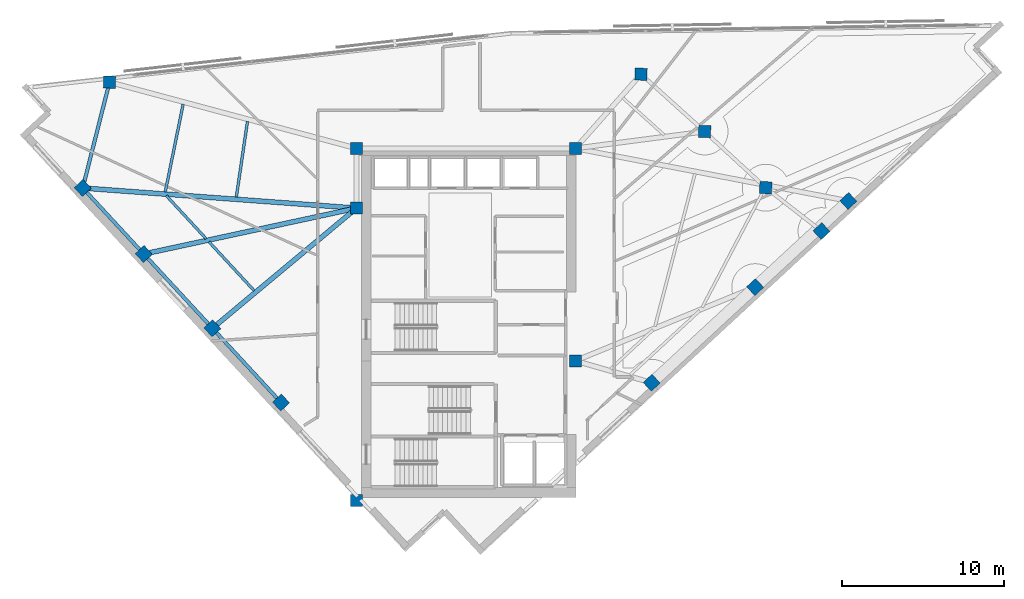
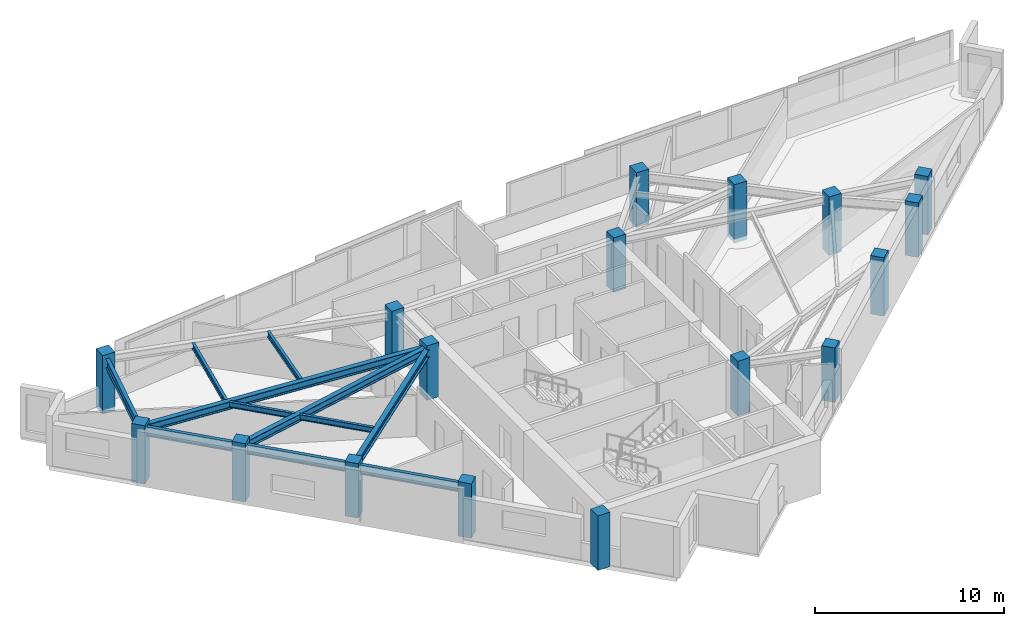
# One storey, part 1 of 13: 17 columns, 11 beams.
"""IFC4 building model written with IfcOpenShell, lengths in metres."""

from ifc_helpers import new_model, si_unit, direction, frame, origin, origin_2d, place, context, subcontext, project, spatial, rectangle, i_section, extrude, material, material_profile, profile_set, type_object, element, save


model = new_model("IFC4")

# Units and contexts
model_context = context("Model", 3, precision=1e-05, world=origin(), true_north=direction((0.0, 1.0)))
body_context = subcontext(model_context, "Body", "Model", "MODEL_VIEW")
ifc_project = project(units=[si_unit("LENGTHUNIT", "METRE"), si_unit("AREAUNIT", "SQUARE_METRE"), si_unit("VOLUMEUNIT", "CUBIC_METRE"), si_unit("PLANEANGLEUNIT", "RADIAN"), si_unit("MASSUNIT", "GRAM", prefix="KILO")], contexts=[model_context])

# Site, building, storey
site_placement = place(None, origin())
site = spatial("IfcSite", under=ifc_project, at=site_placement, CompositionType="ELEMENT")
building_placement = place(site_placement, origin())
building = spatial("IfcBuilding", under=site, at=building_placement, Name="Narakoshi Arena Tower", CompositionType="ELEMENT")
storey_placement = place(building_placement, frame((0.0, 0.0, 264.260009765625)))
storey = spatial("IfcBuildingStorey", under=building, at=storey_placement, Name="L72", CompositionType="ELEMENT", Elevation=264.260009765625)

# Columns
ifc_material_1 = material(Name="Concrete C50/60", Category="concrete")
ifc_material_profile_1 = material_profile(ifc_material_1, rectangle(XDim=0.75, YDim=0.75, at=origin_2d()), Name="RC750x750")
ifc_profile_set_1 = profile_set([ifc_material_profile_1], Name="Concrete C50/60")
column_type = type_object("IfcColumnType", Name="COL-RC750", PredefinedType="COLUMN", material=ifc_profile_set_1)
for number, where, z_axis, x_axis, name in (
    (1, (72.0, 34.699951171875, 0.0), (0.0, 0.0, 1.0), (1.0, 0.0, 0.0), "L72 Core Structural Column CC1"),
    (2, (85.550048828125, 43.35009765625, 0.0), (0.0, 0.0, 1.0), (1.0, 0.0, 0.0), "L72 Core Structural Column CC3"),
    (3, (72.0, 52.800048828125, 0.0), (0.0, 0.0, 1.0), (1.0, 0.0, 0.0), "L72 Core Structural Column CC4"),
    (4, (72.0, 56.5, 0.0), (0.0, 0.0, 1.0), (1.0, 0.0, 0.0), "L72 Core Structural Column CC5"),
    (5, (85.550048828125, 56.5, 0.0), (0.0, 0.0, 1.0), (1.0, 0.0, 0.0), "L72 Core Structural Column CC6"),
    (6, (90.2734375, 41.992919921875, 0.0), (0.0, 0.0, 1.0), (0.734322509436, 0.678800745533, 0.0), "L72 Tower Perimeter Column TC01"),
):
    element("IfcColumn", number, at=place(storey_placement, frame(where, z_axis=z_axis, x_axis=x_axis)), inside=storey, type_object=column_type, Name=name, PredefinedType="COLUMN", context=body_context, shape_type="SweptSolid", body=[
        extrude(rectangle(XDim=0.75, YDim=0.75, at=origin_2d()), origin(), (0.0, 0.0, 1.0), 3.52001953125),
    ])
for number, where, z_axis, x_axis, name in (
    (7, (96.6787109375, 47.913818359375, -0.260009765625), (0.0, 0.0, 1.0), (0.734322509436, 0.678800745533, 0.0), "L72 Tower Perimeter Column TC02"),
    (8, (102.443359375, 53.242431640625, -0.260009765625), (0.0, 0.0, 1.0), (0.734322509436, 0.678800745533, 0.0), "L72 Tower Perimeter Column TC03"),
):
    element("IfcColumn", number, at=place(storey_placement, frame(where, z_axis=z_axis, x_axis=x_axis)), inside=storey, type_object=column_type, Name=name, PredefinedType="COLUMN", context=body_context, shape_type="SweptSolid", body=[
        extrude(rectangle(XDim=0.75, YDim=0.75, at=origin_2d()), origin(), (0.0, 0.0, 1.0), 3.780029296875),
    ])
column_1_placement = place(storey_placement, frame((100.78173828125, 51.379638671875, 0.0), z_axis=(0.0, 0.0, 1.0), x_axis=(0.734322509436, 0.678800745533, 0.0)))
element("IfcColumn", 9, at=column_1_placement, inside=storey, type_object=column_type, Name="L72 Tower Perimeter Column TC04", PredefinedType="COLUMN", context=body_context, shape_type="SweptSolid", body=[
    extrude(rectangle(XDim=0.75, YDim=0.75, at=origin_2d()), origin(), (0.0, 0.0, 1.0), 3.52001953125),
])
for number, where, z_axis, x_axis, name in (
    (10, (97.3291015625, 54.0654296875, -0.260009765625), (0.0, 0.0, 1.0), (0.039259815759, 0.999229036241, 0.0), "L72 Tower Perimeter Column TC05"),
    (11, (93.55029296875, 57.543701171875, -0.260009765625), (0.0, 0.0, 1.0), (0.039259815759, 0.999229036241, 0.0), "L72 Tower Perimeter Column TC06"),
):
    element("IfcColumn", number, at=place(storey_placement, frame(where, z_axis=z_axis, x_axis=x_axis)), inside=storey, type_object=column_type, Name=name, PredefinedType="COLUMN", context=body_context, shape_type="SweptSolid", body=[
        extrude(rectangle(XDim=0.75, YDim=0.75, at=origin_2d()), origin(), (0.0, 0.0, 1.0), 3.780029296875),
    ])
column_2_placement = place(storey_placement, frame((89.611328125, 61.09033203125, 0.0), z_axis=(0.0, 0.0, 1.0), x_axis=(0.039259815759, 0.999229036241, 0.0)))
element("IfcColumn", 12, at=column_2_placement, inside=storey, type_object=column_type, Name="L72 Tower Perimeter Column TC07", PredefinedType="COLUMN", context=body_context, shape_type="SweptSolid", body=[
    extrude(rectangle(XDim=0.75, YDim=0.75, at=origin_2d()), origin(), (0.0, 0.0, 1.0), 3.52001953125),
])
for number, where, z_axis, x_axis, name in (
    (13, (56.717041015625, 60.59814453125, -0.260009765625), (0.0, 0.0, 1.0), (0.039259815759, 0.999229036241, 0.0), "L72 Tower Perimeter Column TC10"),
    (14, (55.05810546875, 54.04638671875, -0.260009765625), (0.0, 0.0, 1.0), (-0.678800745533, 0.734322509436, 0.0), "L72 Tower Perimeter Column TC13"),
    (15, (58.8349609375, 49.960693359375, -0.260009765625), (0.0, 0.0, 1.0), (-0.678800745533, 0.734322509436, 0.0), "L72 Tower Perimeter Column TC14"),
):
    element("IfcColumn", number, at=place(storey_placement, frame(where, z_axis=z_axis, x_axis=x_axis)), inside=storey, type_object=column_type, Name=name, PredefinedType="COLUMN", context=body_context, shape_type="SweptSolid", body=[
        extrude(rectangle(XDim=0.75, YDim=0.75, at=origin_2d()), origin(), (0.0, 0.0, 1.0), 3.780029296875),
    ])
for number, where, z_axis, x_axis, name in (
    (16, (63.083984375, 45.3642578125, 0.0), (0.0, 0.0, 1.0), (-0.678800745533, 0.734322509436, 0.0), "L72 Tower Perimeter Column TC15"),
    (17, (67.332763671875, 40.767578125, 0.0), (0.0, 0.0, 1.0), (-0.678800745533, 0.734322509436, 0.0), "L72 Tower Perimeter Column TC16"),
):
    element("IfcColumn", number, at=place(storey_placement, frame(where, z_axis=z_axis, x_axis=x_axis)), inside=storey, type_object=column_type, Name=name, PredefinedType="COLUMN", context=body_context, shape_type="SweptSolid", body=[
        extrude(rectangle(XDim=0.75, YDim=0.75, at=origin_2d()), origin(), (0.0, 0.0, 1.0), 3.52001953125),
    ])

# Beams
ifc_material_2 = material(Name="Structural steel S355J2", Category="steel")
ifc_material_profile_2 = material_profile(ifc_material_2, i_section(OverallWidth=0.219970703125, OverallDepth=0.60009765625, WebThickness=0.011962890625, FlangeThickness=0.01904296875, FilletRadius=0.02392578125, at=origin_2d()), Name="IPE600")
ifc_profile_set_2 = profile_set([ifc_material_profile_2], Name="Structural steel S355J2")
beam_type_1 = type_object("IfcBeamType", Name="BM-EDGE-600", PredefinedType="BEAM", material=ifc_profile_set_2)
beam_1_placement = place(storey_placement, frame((56.717041015625, 60.59814453125, 2.9599609375), z_axis=(-0.245458392699, -0.969407126781, 0.0), x_axis=(0.969407126781, -0.245458392699, 0.0)))
element("IfcBeam", 18, at=beam_1_placement, inside=storey, type_object=beam_type_1, Name="L72 Perimeter Edge Girder 08", PredefinedType="BEAM", context=body_context, shape_type="SweptSolid", body=[
    extrude(i_section(OverallWidth=0.219970703125, OverallDepth=0.60009765625, WebThickness=0.011962890625, FlangeThickness=0.01904296875, FilletRadius=0.02392578125, at=origin_2d()), origin(), (0.0, 0.0, 1.0), 6.758544921875),
])
beam_2_placement = place(storey_placement, frame((55.05810546875, 54.04638671875, 2.9599609375), z_axis=(0.678808438166, -0.734315398365, 0.0), x_axis=(0.734315398365, 0.678808438166, 0.0)))
element("IfcBeam", 19, at=beam_2_placement, inside=storey, type_object=beam_type_1, Name="L72 Perimeter Edge Girder 09", PredefinedType="BEAM", context=body_context, shape_type="SweptSolid", body=[
    extrude(i_section(OverallWidth=0.219970703125, OverallDepth=0.60009765625, WebThickness=0.011962890625, FlangeThickness=0.01904296875, FilletRadius=0.02392578125, at=origin_2d()), origin(), (0.0, 0.0, 1.0), 5.56396484375),
])
for number, where, z_axis, x_axis, name in (
    (20, (58.8349609375, 49.960693359375, 2.9599609375), (0.678811265787, -0.734312784473, 0.0), (0.734312784473, 0.678811265787, 0.0), "L72 Perimeter Edge Girder 10"),
    (21, (63.083984375, 45.3642578125, 2.9599609375), (0.678770792221, -0.734350196859, 0.0), (0.734350196859, 0.678770792221, 0.0), "L72 Perimeter Edge Girder 11"),
):
    element("IfcBeam", number, at=place(storey_placement, frame(where, z_axis=z_axis, x_axis=x_axis)), inside=storey, type_object=beam_type_1, Name=name, PredefinedType="BEAM", context=body_context, shape_type="SweptSolid", body=[
        extrude(i_section(OverallWidth=0.219970703125, OverallDepth=0.60009765625, WebThickness=0.011962890625, FlangeThickness=0.01904296875, FilletRadius=0.02392578125, at=origin_2d()), origin(), (0.0, 0.0, 1.0), 6.259521484375),
    ])
ifc_material_profile_3 = material_profile(ifc_material_2, i_section(OverallWidth=0.300048828125, OverallDepth=0.5, WebThickness=0.014404296875, FlangeThickness=0.028076171875, FilletRadius=0.027099609375, at=origin_2d()), Name="HE500B")
ifc_profile_set_3 = profile_set([ifc_material_profile_3], Name="Structural steel S355J2")
beam_type_2 = type_object("IfcBeamType", Name="BM-PRI-500", PredefinedType="BEAM", material=ifc_profile_set_3)
beam_3_placement = place(storey_placement, frame((72.0, 52.800048828125, 3.010009765625), z_axis=(-0.997304997013, 0.073367178859, 0.0), x_axis=(-0.073367178859, -0.997304997013, 0.0)))
element("IfcBeam", 22, at=beam_3_placement, inside=storey, type_object=beam_type_2, Name="L72 Radial Primary Floor Girder 09", PredefinedType="BEAM", context=body_context, shape_type="SweptSolid", body=[
    extrude(i_section(OverallWidth=0.300048828125, OverallDepth=0.5, WebThickness=0.014404296875, FlangeThickness=0.028076171875, FilletRadius=0.027099609375, at=origin_2d()), origin(), (0.0, 0.0, 1.0), 16.98779296875),
])
beam_4_placement = place(storey_placement, frame((72.0, 52.800048828125, 3.010009765625), z_axis=(-0.977523534755, -0.210826324256, 0.0), x_axis=(0.210826324256, -0.977523534755, 0.0)))
element("IfcBeam", 23, at=beam_4_placement, inside=storey, type_object=beam_type_2, Name="L72 Radial Primary Floor Girder 10", PredefinedType="BEAM", context=body_context, shape_type="SweptSolid", body=[
    extrude(i_section(OverallWidth=0.300048828125, OverallDepth=0.5, WebThickness=0.014404296875, FlangeThickness=0.028076171875, FilletRadius=0.027099609375, at=origin_2d()), origin(), (0.0, 0.0, 1.0), 13.4677734375),
])
beam_5_placement = place(storey_placement, frame((72.0, 52.800048828125, 3.010009765625), z_axis=(-0.767976460513, -0.640478068397, 0.0), x_axis=(0.640478068397, -0.767976460513, 0.0)))
element("IfcBeam", 24, at=beam_5_placement, inside=storey, type_object=beam_type_2, Name="L72 Radial Primary Floor Girder 11", PredefinedType="BEAM", context=body_context, shape_type="SweptSolid", body=[
    extrude(i_section(OverallWidth=0.300048828125, OverallDepth=0.5, WebThickness=0.014404296875, FlangeThickness=0.028076171875, FilletRadius=0.027099609375, at=origin_2d()), origin(), (0.0, 0.0, 1.0), 11.60986328125),
])
ifc_material_profile_4 = material_profile(ifc_material_2, i_section(OverallWidth=0.169921875, OverallDepth=0.360107421875, WebThickness=0.008056640625, FlangeThickness=0.0126953125, FilletRadius=0.01806640625, at=origin_2d()), Name="IPE360")
ifc_profile_set_4 = profile_set([ifc_material_profile_4], Name="Structural steel S355J2")
beam_type_3 = type_object("IfcBeamType", Name="BM-SEC-360", PredefinedType="JOIST", material=ifc_profile_set_4)
beam_6_placement = place(storey_placement, frame((65.255859375, 58.169677734375, 3.080078125), z_axis=(-0.145762470348, -0.989319615816, 0.0), x_axis=(0.989319615816, -0.145762470348, 0.0)))
element("IfcBeam", 25, at=beam_6_placement, inside=storey, type_object=beam_type_3, Name="L72 Composite Secondary Floor Joist 06", PredefinedType="JOIST", context=body_context, shape_type="SweptSolid", body=[
    extrude(i_section(OverallWidth=0.169921875, OverallDepth=0.360107421875, WebThickness=0.008056640625, FlangeThickness=0.0126953125, FilletRadius=0.01806640625, at=origin_2d()), origin(), (0.0, 0.0, 1.0), 4.73828125),
])
beam_7_placement = place(storey_placement, frame((61.27490234375, 59.236328125, 3.080078125), z_axis=(-0.199731342868, -0.979850698156, 0.0), x_axis=(0.979850698156, -0.199731342868, 0.0)))
element("IfcBeam", 26, at=beam_7_placement, inside=storey, type_object=beam_type_3, Name="L72 Composite Secondary Floor Joist 07", PredefinedType="JOIST", context=body_context, shape_type="SweptSolid", body=[
    extrude(i_section(OverallWidth=0.169921875, OverallDepth=0.360107421875, WebThickness=0.008056640625, FlangeThickness=0.0126953125, FilletRadius=0.01806640625, at=origin_2d()), origin(), (0.0, 0.0, 1.0), 5.543212890625),
])
beam_8_placement = place(storey_placement, frame((60.232421875, 53.5732421875, 3.080078125), z_axis=(0.678811454839, -0.73431260971, 0.0), x_axis=(0.73431260971, 0.678811454839, 0.0)))
element("IfcBeam", 27, at=beam_8_placement, inside=storey, type_object=beam_type_3, Name="L72 Composite Secondary Floor Joist 08", PredefinedType="JOIST", context=body_context, shape_type="SweptSolid", body=[
    extrude(i_section(OverallWidth=0.169921875, OverallDepth=0.360107421875, WebThickness=0.008056640625, FlangeThickness=0.0126953125, FilletRadius=0.01806640625, at=origin_2d()), origin(), (0.0, 0.0, 1.0), 3.624755859375),
])
beam_9_placement = place(storey_placement, frame((62.876220703125, 50.71337890625, 3.080078125), z_axis=(0.678770736096, -0.734350248736, 0.0), x_axis=(0.734350248736, 0.678770736096, 0.0)))
element("IfcBeam", 28, at=beam_9_placement, inside=storey, type_object=beam_type_3, Name="L72 Composite Secondary Floor Joist 09", PredefinedType="JOIST", context=body_context, shape_type="SweptSolid", body=[
    extrude(i_section(OverallWidth=0.169921875, OverallDepth=0.360107421875, WebThickness=0.008056640625, FlangeThickness=0.0126953125, FilletRadius=0.01806640625, at=origin_2d()), origin(), (0.0, 0.0, 1.0), 4.111572265625),
])

save(model, "model.ifc")
